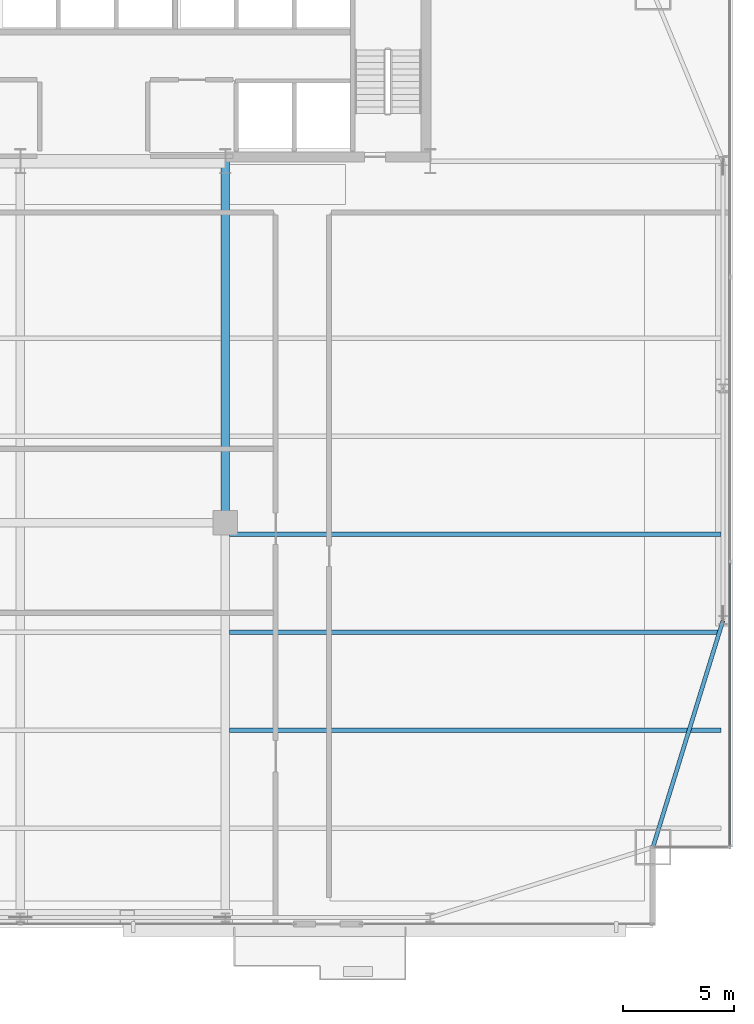
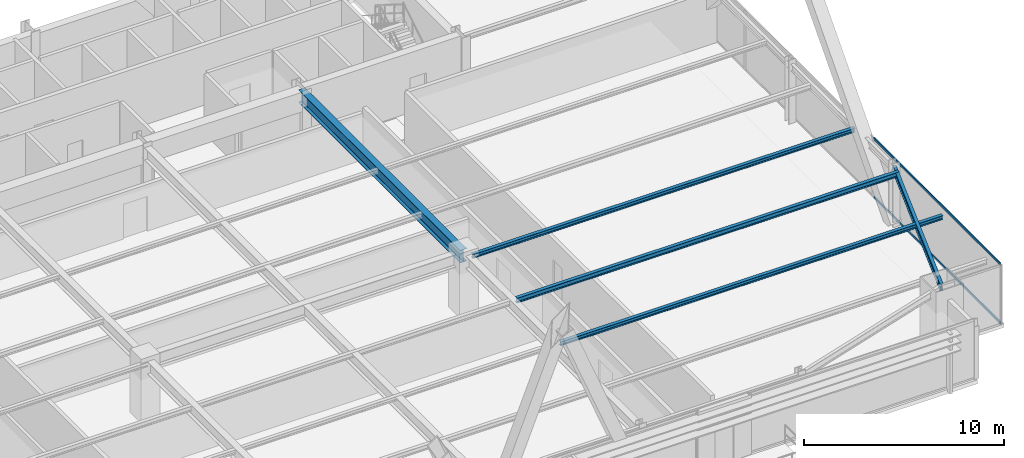
# One storey, part 16 of 32: 5 beams, 2 members, 1 element without a shape of its own.
"""IFC4 building model written with IfcOpenShell, lengths in metres."""

from ifc_helpers import new_model, si_unit, direction, frame, origin, origin_2d, place, context, subcontext, project, spatial, hollow_rectangle, i_section, extrude, source, transform, mapped, material, layer, layer_set, material_profile, profile_set, type_object, type_shapes, element, aggregate, save


model = new_model("IFC4")

# Units and contexts
model_context = context("Model", 3, precision=1e-05, world=origin(), true_north=direction((0.0, 1.0)))
body_context = subcontext(model_context, "Body", "Model", "MODEL_VIEW")
ifc_project = project(units=[si_unit("LENGTHUNIT", "METRE"), si_unit("AREAUNIT", "SQUARE_METRE"), si_unit("VOLUMEUNIT", "CUBIC_METRE"), si_unit("PLANEANGLEUNIT", "RADIAN"), si_unit("MASSUNIT", "GRAM", prefix="KILO")], contexts=[model_context])

# Site, building, storey
site_placement = place(None, origin())
site = spatial("IfcSite", under=ifc_project, at=site_placement, CompositionType="ELEMENT")
building_placement = place(site_placement, origin())
building = spatial("IfcBuilding", under=site, at=building_placement, Name="Varnel Quay Broadcast Tower", CompositionType="ELEMENT")
storey_placement = place(building_placement, frame((0.0, 0.0, 58.800048828125)))
storey = spatial("IfcBuildingStorey", under=building, at=storey_placement, Name="L13", CompositionType="ELEMENT", Elevation=58.800048828125)

# Beams
ifc_material_1 = material(Name="Structural Steel CSA G40.21 350W", Category="steel")
ifc_material_profile_1 = material_profile(ifc_material_1, i_section(OverallWidth=0.180908203125, OverallDepth=0.4169921875, WebThickness=0.010986328125, FlangeThickness=0.018310546875, FilletRadius=0.011962890625, at=origin_2d()), Name="W410X85")
ifc_profile_set_1 = profile_set([ifc_material_profile_1], Name="Structural Steel CSA G40.21 350W")
beam_type_1 = type_object("IfcBeamType", Name="Beam_W410X85", PredefinedType="SPANDREL", material=ifc_profile_set_1)
shared_shape_1 = source(origin(), body_context, "Body", "SweptSolid", [
    extrude(i_section(OverallWidth=0.180908203125, OverallDepth=0.4169921875, WebThickness=0.010986328125, FlangeThickness=0.018310546875, FilletRadius=0.011962890625, at=origin_2d()), origin(), (0.0, 0.0, 1.0), 10.635498046875),
])
type_shapes(beam_type_1, [shared_shape_1])
beam_1_placement = place(storey_placement, frame((62.406005859375, 4.819091796875, 3.44140625), z_axis=(0.295069676324, 0.955475738108, 0.0), x_axis=(-0.955475738108, 0.295069676324, 0.0)))
element("IfcBeam", 1, at=beam_1_placement, inside=storey, type_object=beam_type_1, Name="L13 East Spandrel MC-SE-TC-E1", PredefinedType="SPANDREL", context=body_context, shape_type="MappedRepresentation", body=[
    mapped(shared_shape_1, transform((0.0, 0.0, 0.0), x_axis=(1.0, 0.0, 0.0), y_axis=(0.0, 1.0, 0.0), z_axis=(0.0, 0.0, 1.0), scale=1.0)),
])
ifc_material_profile_2 = material_profile(ifc_material_1, i_section(OverallWidth=0.381103515625, OverallDepth=0.77294921875, WebThickness=0.0166015625, FlangeThickness=0.027587890625, FilletRadius=0.01806640625, at=origin_2d()), Name="W760X257")
ifc_profile_set_2 = profile_set([ifc_material_profile_2], Name="Structural Steel CSA G40.21 350W")
beam_type_2 = type_object("IfcBeamType", Name="Girder_W760X257", PredefinedType="BEAM", material=ifc_profile_set_2)
shared_shape_2 = source(origin(), body_context, "Body", "SweptSolid", [
    extrude(i_section(OverallWidth=0.381103515625, OverallDepth=0.77294921875, WebThickness=0.0166015625, FlangeThickness=0.027587890625, FilletRadius=0.01806640625, at=origin_2d()), origin(), (0.0, 0.0, 1.0), 16.190185546875),
])
type_shapes(beam_type_2, [shared_shape_2])
beam_2_placement = place(storey_placement, frame((43.199951171875, 19.389892578125, 3.263427734375), z_axis=(0.0, 1.0, 0.0), x_axis=(-1.0, 0.0, 0.0)))
element("IfcBeam", 2, at=beam_2_placement, inside=storey, type_object=beam_type_2, Name="L13 Primary Girder IC-02-CC-S4", PredefinedType="BEAM", context=body_context, shape_type="MappedRepresentation", body=[
    mapped(shared_shape_2, transform((0.0, 0.0, 0.0), x_axis=(1.0, 0.0, 0.0), y_axis=(0.0, 1.0, 0.0), z_axis=(0.0, 0.0, 1.0), scale=1.0)),
])
ifc_material_profile_3 = material_profile(ifc_material_1, i_section(OverallWidth=0.202880859375, OverallDepth=0.302978515625, WebThickness=0.007568359375, FlangeThickness=0.01318359375, FilletRadius=0.011962890625, at=origin_2d()), Name="W310X60")
ifc_profile_set_3 = profile_set([ifc_material_profile_3], Name="Structural Steel CSA G40.21 350W")
beam_type_3 = type_object("IfcBeamType", Name="Beam_W310X60", PredefinedType="JOIST", material=ifc_profile_set_3)
shared_shape_3 = source(origin(), body_context, "Body", "SweptSolid", [
    extrude(i_section(OverallWidth=0.202880859375, OverallDepth=0.302978515625, WebThickness=0.007568359375, FlangeThickness=0.01318359375, FilletRadius=0.011962890625, at=origin_2d()), origin(), (0.0, 0.0, 1.0), 22.0791015625),
])
type_shapes(beam_type_3, [shared_shape_3])
beam_3_placement = place(storey_placement, frame((43.385498046875, 14.449951171875, 3.49853515625), z_axis=(1.0, 0.0, 0.0), x_axis=(0.0, 1.0, 0.0)))
element("IfcBeam", 3, at=beam_3_placement, inside=storey, type_object=beam_type_3, Name="L13 East Floor Joist 3", PredefinedType="JOIST", context=body_context, shape_type="MappedRepresentation", body=[
    mapped(shared_shape_3, transform((0.0, 0.0, 0.0), x_axis=(1.0, 0.0, 0.0), y_axis=(0.0, 1.0, 0.0), z_axis=(0.0, 0.0, 1.0), scale=1.0)),
])
ifc_material_profile_4 = material_profile(ifc_material_1, i_section(OverallWidth=0.201904296875, OverallDepth=0.2470703125, WebThickness=0.00732421875, FlangeThickness=0.010986328125, FilletRadius=0.010986328125, at=origin_2d()), Name="W250X49")
ifc_profile_set_4 = profile_set([ifc_material_profile_4], Name="Structural Steel CSA G40.21 350W")
beam_type_4 = type_object("IfcBeamType", Name="Beam_W250X49", PredefinedType="JOIST", material=ifc_profile_set_4)
shared_shape_4 = source(origin(), body_context, "Body", "SweptSolid", [
    extrude(i_section(OverallWidth=0.201904296875, OverallDepth=0.2470703125, WebThickness=0.00732421875, FlangeThickness=0.010986328125, FilletRadius=0.010986328125, at=origin_2d()), origin(), (0.0, 0.0, 1.0), 22.0791015625),
])
type_shapes(beam_type_4, [shared_shape_4])
for number, where, z_axis, x_axis, name in (
    (4, (43.385498046875, 10.050048828125, 3.5263671875), (1.0, 0.0, 0.0), (0.0, 1.0, 0.0), "L13 East Floor Joist 2"),
    (5, (43.385498046875, 18.85009765625, 3.5263671875), (1.0, 0.0, 0.0), (0.0, 1.0, 0.0), "L13 East Floor Joist 4"),
):
    element("IfcBeam", number, at=place(storey_placement, frame(where, z_axis=z_axis, x_axis=x_axis)), inside=storey, type_object=beam_type_4, Name=name, PredefinedType="JOIST", context=body_context, shape_type="MappedRepresentation", body=[
        mapped(shared_shape_4, transform((0.0, 0.0, 0.0), x_axis=(1.0, 0.0, 0.0), y_axis=(0.0, 1.0, 0.0), z_axis=(0.0, 0.0, 1.0), scale=1.0)),
    ])

# Curtain wall, members
ifc_material_2 = material(Name="Anodised Bronze Aluminium 6063-T6", Category="aluminium")
ifc_layer = layer(ifc_material_2, 0.18994140625, Name="Anodised Bronze Aluminium 6063-T6")
ifc_layer_set = layer_set([ifc_layer], Name="Anodised Bronze Aluminium 6063-T6")
curtain_wall_type = type_object("IfcCurtainWallType", Name="CW_LowerTower", PredefinedType="NOTDEFINED", material=ifc_layer_set)
curtain_wall_placement = place(storey_placement, origin())
curtain_wall = element("IfcCurtainWall", 6, at=curtain_wall_placement, inside=storey, type_object=curtain_wall_type, Name="L13 East Unitised Curtain Wall", PredefinedType="NOTDEFINED")
ifc_material_profile_5 = material_profile(ifc_material_2, hollow_rectangle(XDim=0.06005859375, YDim=0.14501953125, WallThickness=0.00341796875, at=origin_2d()), Name="ALU60X145X3.5")
ifc_profile_set_5 = profile_set([ifc_material_profile_5], Name="Anodised Bronze Aluminium 6063-T6")
member_type = type_object("IfcMemberType", Name="Tran_CWS-02", PredefinedType="USERDEFINED", material=ifc_profile_set_5)
shared_shape_5 = source(origin(), body_context, "Body", "SweptSolid", [
    extrude(hollow_rectangle(XDim=0.06005859375, YDim=0.14501953125, WallThickness=0.00341796875, at=origin_2d()), origin(), (0.0, 0.0, 1.0), 12.69482421875),
])
type_shapes(member_type, [shared_shape_5])
member_1_placement = place(storey_placement, frame((65.85009765625, 4.8701171875, 0.030029296875), z_axis=(0.0, 1.0, 0.0), x_axis=(-1.0, 0.0, 0.0)))
member_1 = element("IfcMember", 7, at=member_1_placement, type_object=member_type, Name="CWS-02 transom 1.1", ObjectType="TRANSOM", PredefinedType="USERDEFINED", context=body_context, shape_type="MappedRepresentation", body=[
    mapped(shared_shape_5, transform((0.0, 0.0, 0.0), x_axis=(1.0, 0.0, 0.0), y_axis=(0.0, 1.0, 0.0), z_axis=(0.0, 0.0, 1.0), scale=1.0)),
])
member_2_placement = place(storey_placement, frame((65.85009765625, 4.8701171875, 3.619873046875), z_axis=(0.0, 1.0, 0.0), x_axis=(-1.0, 0.0, 0.0)))
member_2 = element("IfcMember", 8, at=member_2_placement, type_object=member_type, Name="CWS-02 transom 1.2", ObjectType="TRANSOM", PredefinedType="USERDEFINED", context=body_context, shape_type="MappedRepresentation", body=[
    mapped(shared_shape_5, transform((0.0, 0.0, 0.0), x_axis=(1.0, 0.0, 0.0), y_axis=(0.0, 1.0, 0.0), z_axis=(0.0, 0.0, 1.0), scale=1.0)),
])
aggregate(curtain_wall, [member_1, member_2])

save(model, "model.ifc")
